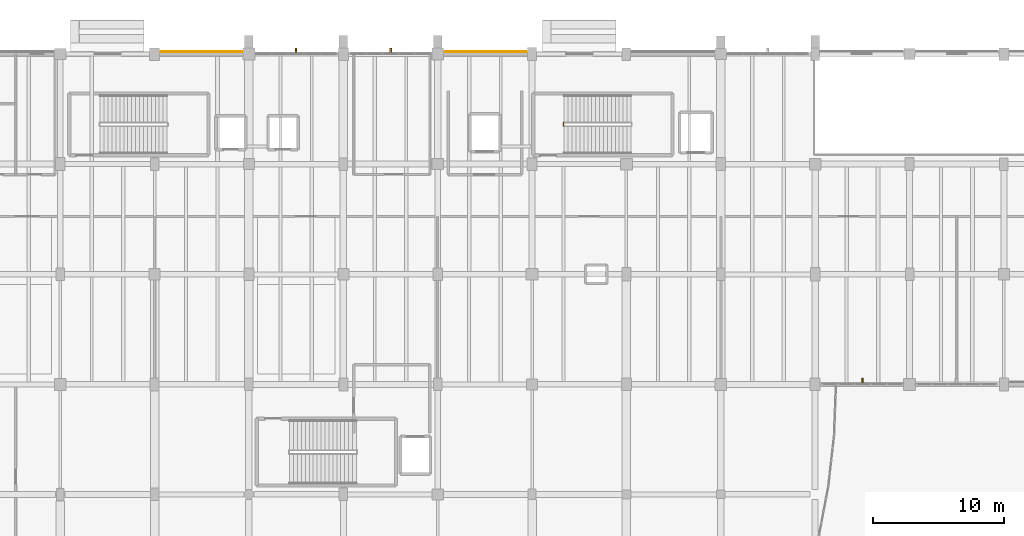
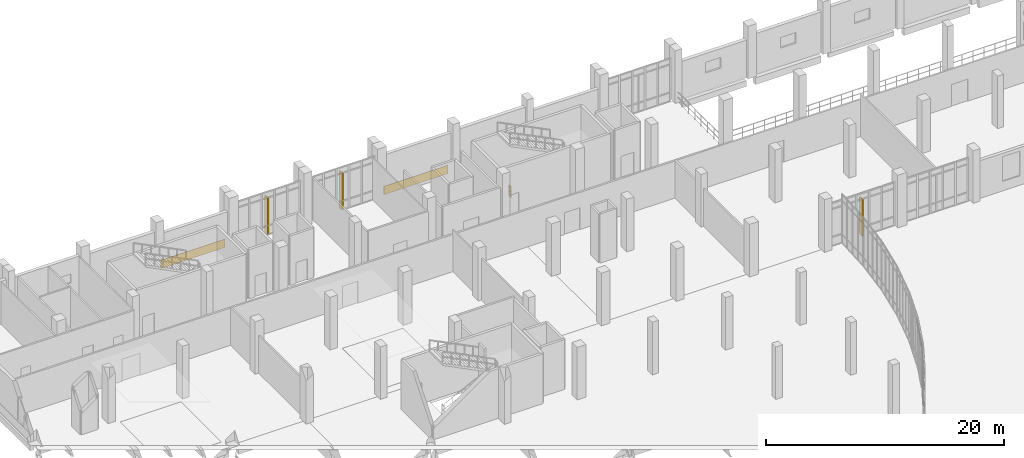
# One storey, part 105 of 110: 3 shading devices, 2 coverings, 1 railing.
"""IFC4 building model written with IfcOpenShell, lengths in metres."""

from ifc_helpers import new_model, si_unit, direction, frame, origin, origin_2d, place, context, subcontext, project, spatial, rectangle, circle, extrude, material, layer, layer_set, type_object, element, save


model = new_model("IFC4")

# Units and contexts
model_context = context("Model", 3, precision=1e-05, world=origin(), true_north=direction((0.0, 1.0)))
body_context = subcontext(model_context, "Body", "Model", "MODEL_VIEW")
ifc_project = project(units=[si_unit("LENGTHUNIT", "METRE"), si_unit("AREAUNIT", "SQUARE_METRE"), si_unit("VOLUMEUNIT", "CUBIC_METRE"), si_unit("PLANEANGLEUNIT", "RADIAN"), si_unit("MASSUNIT", "GRAM", prefix="KILO")], contexts=[model_context])

# Site, building, storey
site_placement = place(None, origin())
site = spatial("IfcSite", under=ifc_project, at=site_placement, CompositionType="ELEMENT")
building_placement = place(site_placement, origin())
building = spatial("IfcBuilding", under=site, at=building_placement, Name="Kalluvel Institute of Natural Sciences", CompositionType="ELEMENT")
storey_placement = place(building_placement, origin())
storey = spatial("IfcBuildingStorey", under=building, at=storey_placement, Name="L00", CompositionType="ELEMENT", Elevation=0.0)

# Coverings
ifc_material_1 = material(Name="Sadarahalli Grey Granite Ashlar Concrete M40", Category="masonry")
ifc_layer = layer(ifc_material_1, 0.044921875)
ifc_layer_set = layer_set([ifc_layer], Name="Sadarahalli Grey Granite Ashlar Concrete M40")
covering_type = type_object("IfcCoveringType", Name="COV-CLAD-STONE", PredefinedType="CLADDING", material=ifc_layer_set)
covering_1_placement = place(storey_placement, frame((39.16259765625, 128.179931640625, 0.02490234375), z_axis=(0.0, 0.0, 1.0), x_axis=(1.0, 0.0, 0.0)))
element("IfcCovering", 1, at=covering_1_placement, inside=storey, type_object=covering_type, Name="L00 Sadarahalli granite plinth spandrel cladding 3", PredefinedType="CLADDING", context=body_context, shape_type="SweptSolid", body=[
    extrude(rectangle(XDim=6.215087890625, YDim=0.044921875, at=origin_2d()), origin(), (0.0, 0.0, 1.0), 0.85009765625),
])
covering_2_placement = place(storey_placement, frame((60.85009765625, 128.179931640625, 0.02490234375), z_axis=(0.0, 0.0, 1.0), x_axis=(1.0, 0.0, 0.0)))
element("IfcCovering", 2, at=covering_2_placement, inside=storey, type_object=covering_type, Name="L00 Sadarahalli granite plinth spandrel cladding 4", PredefinedType="CLADDING", context=body_context, shape_type="SweptSolid", body=[
    extrude(rectangle(XDim=6.239990234375, YDim=0.044921875, at=origin_2d()), origin(), (0.0, 0.0, 1.0), 0.85009765625),
])

# Railing
ifc_material_2 = material(Name="Galvanized Fire-Rated Steel", Category="steel")
railing_type = type_object("IfcRailingType", Name="RL-GD-STAIR", PredefinedType="BALUSTRADE", material=ifc_material_2)
railing_placement = place(storey_placement, frame((66.800048828125, 122.4951171875, 0.0)))
element("IfcRailing", 3, at=railing_placement, inside=storey, type_object=railing_type, Name="L00 ST2 stair guard 4", PredefinedType="BALUSTRADE", context=body_context, shape_type="SweptSolid", body=[
    extrude(circle(Radius=0.02392578125, at=origin_2d()), frame((0.0, 0.0, 1.09619140625), z_axis=(0.0, 1.0, 0.0), x_axis=(-1.0, 0.0, 0.0)), (0.0, 0.0, 1.0), 0.27978515625),
    extrude(circle(Radius=0.02392578125, at=origin_2d()), frame((0.0, 0.0, 0.56005859375), z_axis=(0.0, 1.0, 0.0), x_axis=(-1.0, 0.0, 0.0)), (0.0, 0.0, 1.0), 0.27978515625),
    extrude(circle(Radius=0.02099609375, at=origin_2d()), origin(), (0.0, 0.0, 1.0), 1.072021484375),
    extrude(circle(Radius=0.02099609375, at=origin_2d()), frame((0.0, 0.27978515625, 0.0)), (0.0, 0.0, 1.0), 1.072021484375),
])

# Shading devices
shading_device_type = type_object("IfcShadingDeviceType", Name="SHD-FIN-STONE", PredefinedType="USERDEFINED", material=ifc_material_1)
for number, where, z_axis, x_axis, name in (
    (4, (46.387451171875, 128.219970703125, 0.0), (0.0, 0.0, 1.0), (1.0, 0.0, 0.0), "L00 monsoon lancet shading fin 1"),
    (5, (53.612548828125, 128.219970703125, 0.0), (0.0, 0.0, 1.0), (1.0, 0.0, 0.0), "L00 monsoon lancet shading fin 2"),
    (6, (89.612548828125, 103.02001953125, 0.0), (0.0, 0.0, 1.0), (1.0, 0.0, 0.0), "L00 monsoon lancet shading fin 4"),
):
    element("IfcShadingDevice", number, at=place(storey_placement, frame(where, z_axis=z_axis, x_axis=x_axis)), inside=storey, type_object=shading_device_type, Name=name, ObjectType="MONSOON FIN", PredefinedType="USERDEFINED", context=body_context, shape_type="SweptSolid", body=[
        extrude(rectangle(XDim=0.139892578125, YDim=0.47998046875, at=origin_2d()), origin(), (0.0, 0.0, 1.0), 3.800048828125),
    ])

save(model, "model.ifc")
